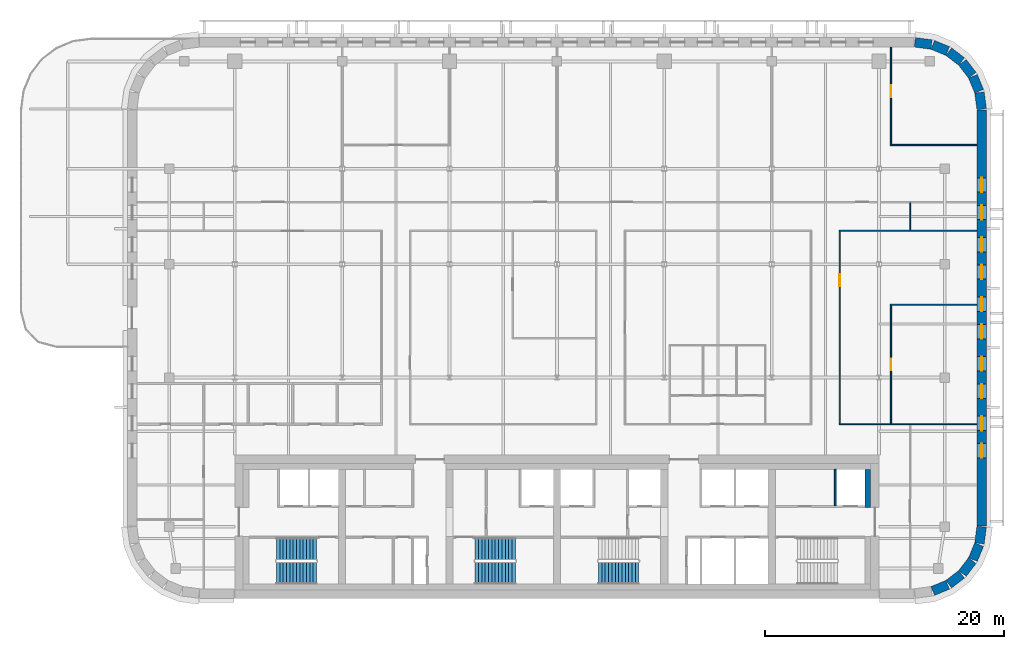
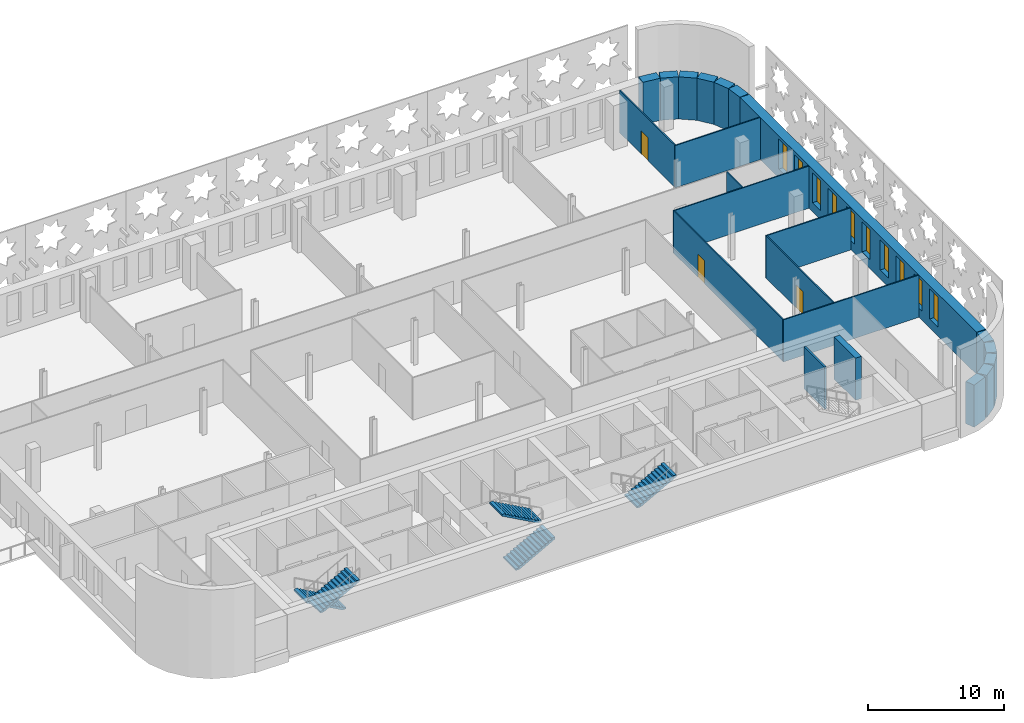
# One storey, part 11 of 17: 22 walls, 10 windows, 5 stair flights, 3 doors, 13 openings, 3 elements without a shape of their own.
"""IFC4 building model written with IfcOpenShell, lengths in metres."""

from ifc_helpers import new_model, si_unit, direction, frame, frame_2d, origin, place, context, subcontext, project, spatial, polyline, rectangle, outline, extrude, material, layer, layer_set, type_object, element, fill, aggregate, save


model = new_model("IFC4")

# Units and contexts
model_context = context("Model", 3, precision=1e-05, world=origin(), true_north=direction((0.0, 1.0)))
body_context = subcontext(model_context, "Body", "Model", "MODEL_VIEW")
ifc_project = project(units=[si_unit("LENGTHUNIT", "METRE"), si_unit("AREAUNIT", "SQUARE_METRE"), si_unit("VOLUMEUNIT", "CUBIC_METRE"), si_unit("PLANEANGLEUNIT", "RADIAN"), si_unit("MASSUNIT", "GRAM", prefix="KILO")], contexts=[model_context])

# Site, building, storey
site_placement = place(None, origin())
site = spatial("IfcSite", under=ifc_project, at=site_placement, CompositionType="ELEMENT")
building_placement = place(site_placement, origin())
building = spatial("IfcBuilding", under=site, at=building_placement, Name="Zellij Exchange Tower", CompositionType="ELEMENT")
storey_placement = place(building_placement, frame((0.0, 0.0, 256.5)))
storey = spatial("IfcBuildingStorey", under=building, at=storey_placement, Name="L60", CompositionType="ELEMENT", Elevation=256.5)

# Walls
ifc_material_1 = material(Name="Concrete C30/37", Category="concrete")
ifc_layer_1 = layer(ifc_material_1, 0.5)
ifc_layer_set_1 = layer_set([ifc_layer_1], Name="Concrete C30/37")
wall_type_1 = type_object("IfcWallType", Name="CORE-LW 500 C30/37", PredefinedType="SHEAR", material=ifc_layer_set_1)
wall_1_placement = place(storey_placement, frame((26.050048828125, -6.375, 0.0), z_axis=(0.0, 0.0, 1.0), x_axis=(0.0, 1.0, 0.0)))
element("IfcWall", 1, at=wall_1_placement, inside=storey, type_object=wall_type_1, Name="Core wall lining end e.1 L60", PredefinedType="SHEAR", context=body_context, shape_type="SweptSolid", body=[
    extrude(rectangle(XDim=3.175048828125, YDim=0.5, at=frame_2d((1.58740234375, 0.0))), origin(), (0.0, 0.0, 1.0), 3.800048828125),
])
ifc_material_2 = material(Name="Gypsum shaft wall system")
ifc_layer_2 = layer(ifc_material_2, 0.14990234375)
ifc_layer_set_2 = layer_set([ifc_layer_2], Name="Gypsum shaft wall system")
wall_type_2 = type_object("IfcWallType", Name="CORE-PW 150 Lift shaft wall", PredefinedType="PARTITIONING", material=ifc_layer_set_2)
wall_2_placement = place(storey_placement, frame((23.324951171875, -6.22509765625, 0.0), z_axis=(0.0, 0.0, 1.0), x_axis=(0.0, 1.0, 0.0)))
element("IfcWall", 2, at=wall_2_placement, inside=storey, type_object=wall_type_2, Name="Lift shaft wall L60", PredefinedType="PARTITIONING", context=body_context, shape_type="SweptSolid", body=[
    extrude(rectangle(XDim=3.025146484375, YDim=0.14990234375, at=frame_2d((1.5126953125, 0.0))), origin(), (0.0, 0.0, 1.0), 3.800048828125),
])
ifc_material_3 = material(Name="Precast concrete C40/50", Category="concrete")
ifc_layer_3 = layer(ifc_material_3, 0.800048828125)
ifc_layer_set_3 = layer_set([ifc_layer_3], Name="Precast concrete C40/50")
wall_type_3 = type_object("IfcWallType", Name="ENV-EW1 Precast stone-piered wall 800", PredefinedType="SOLIDWALL", material=ifc_layer_set_3)
wall_3_placement = place(storey_placement, frame((31.497314453125, -13.3857421875, 0.0), z_axis=(0.0, 0.0, 1.0), x_axis=(0.923847774587, 0.38276009378, 0.0)))
element("IfcWall", 3, at=wall_3_placement, inside=storey, type_object=wall_type_3, Name="fac.L60.02", PredefinedType="SOLIDWALL", context=body_context, shape_type="SweptSolid", body=[
    extrude(rectangle(XDim=1.35546875, YDim=0.800048828125, at=frame_2d((0.677734375, 0.0))), origin(), (0.0, 0.0, 1.0), 3.800048828125),
])
for number, where, z_axis, x_axis, name in (
    (4, (32.840087890625, -12.814697265625, 0.0), (0.0, 0.0, 1.0), (0.793272915452, 0.608866226366, 0.0), "fac.L60.03"),
    (5, (33.9892578125, -11.91552734375, 0.0), (0.0, 0.0, 1.0), (0.608866226366, 0.793272915452, 0.0), "fac.L60.04"),
):
    element("IfcWall", number, at=place(storey_placement, frame(where, z_axis=z_axis, x_axis=x_axis)), inside=storey, type_object=wall_type_3, Name=name, PredefinedType="SOLIDWALL", context=body_context, shape_type="SweptSolid", body=[
        extrude(rectangle(XDim=1.355712890625, YDim=0.800048828125, at=frame_2d((0.677734375, 0.0))), origin(), (0.0, 0.0, 1.0), 3.800048828125),
    ])
wall_4_placement = place(storey_placement, frame((34.866943359375, -10.74951171875, 0.0), z_axis=(0.0, 0.0, 1.0), x_axis=(0.38276009378, 0.923847774587, 0.0)))
element("IfcWall", 6, at=wall_4_placement, inside=storey, type_object=wall_type_3, Name="fac.L60.05", PredefinedType="SOLIDWALL", context=body_context, shape_type="SweptSolid", body=[
    extrude(rectangle(XDim=1.35546875, YDim=0.800048828125, at=frame_2d((0.677734375, 0.0))), origin(), (0.0, 0.0, 1.0), 3.800048828125),
])
wall_5_placement = place(storey_placement, frame((35.412841796875, -9.396240234375, 0.0), z_axis=(0.0, 0.0, 1.0), x_axis=(0.130517283865, 0.99144603414, 0.0)))
element("IfcWall", 7, at=wall_5_placement, inside=storey, type_object=wall_type_3, Name="fac.L60.06", PredefinedType="SOLIDWALL", context=body_context, shape_type="SweptSolid", body=[
    extrude(rectangle(XDim=1.408447265625, YDim=0.800048828125, at=frame_2d((0.7041015625, 0.0))), origin(), (0.0, 0.0, 1.0), 3.800048828125),
])

# Wall, openings, windows
wall_6_placement = place(storey_placement, frame((35.60009765625, -7.947509765625, 0.0), z_axis=(0.0, 0.0, 1.0), x_axis=(0.0, 1.0, 0.0)))
wall_6 = element("IfcWall", 8, at=wall_6_placement, inside=storey, type_object=wall_type_3, Name="fac.L60.07", PredefinedType="SOLIDWALL", context=body_context, shape_type="SweptSolid", body=[
    extrude(rectangle(XDim=34.89501953125, YDim=0.800048828125, at=frame_2d((17.447509765625, 0.0))), origin(), (0.0, 0.0, 1.0), 3.800048828125),
])
opening_1_placement = place(wall_6_placement, frame((5.71240234375, 0.0, 0.800048828125)))
opening_1 = element("IfcOpeningElement", 9, at=opening_1_placement, cuts=wall_6, Name="Opening FZ4.01", PredefinedType="OPENING", context=body_context, shape_type="SweptSolid", body=[
    extrude(rectangle(XDim=1.199951171875, YDim=2.699951171875, at=frame_2d((0.60009765625, 1.35009765625))), frame((0.0, 0.412109375, 0.0), z_axis=(0.0, -1.0, 0.0), x_axis=(1.0, 0.0, 0.0)), (0.0, 0.0, 1.0), 0.823974609375),
])
opening_2_placement = place(wall_6_placement, frame((8.0126953125, 0.0, 0.800048828125)))
opening_2 = element("IfcOpeningElement", 10, at=opening_2_placement, cuts=wall_6, Name="Opening FZ4.02", PredefinedType="OPENING", context=body_context, shape_type="SweptSolid", body=[
    extrude(rectangle(XDim=1.199951171875, YDim=2.699951171875, at=frame_2d((0.60009765625, 1.35009765625))), frame((0.0, 0.412109375, 0.0), z_axis=(0.0, -1.0, 0.0), x_axis=(1.0, 0.0, 0.0)), (0.0, 0.0, 1.0), 0.823974609375),
])
opening_3_placement = place(wall_6_placement, frame((10.705078125, 0.0, 0.800048828125)))
opening_3 = element("IfcOpeningElement", 11, at=opening_3_placement, cuts=wall_6, Name="Opening FZ4.03", PredefinedType="OPENING", context=body_context, shape_type="SweptSolid", body=[
    extrude(rectangle(XDim=1.199951171875, YDim=2.699951171875, at=frame_2d((0.60009765625, 1.35009765625))), frame((0.0, 0.412109375, 0.0), z_axis=(0.0, -1.0, 0.0), x_axis=(1.0, 0.0, 0.0)), (0.0, 0.0, 1.0), 0.823974609375),
])
opening_4_placement = place(wall_6_placement, frame((13.005126953125, 0.0, 0.800048828125)))
opening_4 = element("IfcOpeningElement", 12, at=opening_4_placement, cuts=wall_6, Name="Opening FZ4.04", PredefinedType="OPENING", context=body_context, shape_type="SweptSolid", body=[
    extrude(rectangle(XDim=1.199951171875, YDim=2.699951171875, at=frame_2d((0.60009765625, 1.35009765625))), frame((0.0, 0.412109375, 0.0), z_axis=(0.0, -1.0, 0.0), x_axis=(1.0, 0.0, 0.0)), (0.0, 0.0, 1.0), 0.823974609375),
])
opening_5_placement = place(wall_6_placement, frame((15.697509765625, 0.0, 0.800048828125)))
opening_5 = element("IfcOpeningElement", 13, at=opening_5_placement, cuts=wall_6, Name="Opening FZ4.05", PredefinedType="OPENING", context=body_context, shape_type="SweptSolid", body=[
    extrude(rectangle(XDim=1.199951171875, YDim=2.699951171875, at=frame_2d((0.60009765625, 1.35009765625))), frame((0.0, 0.412109375, 0.0), z_axis=(0.0, -1.0, 0.0), x_axis=(1.0, 0.0, 0.0)), (0.0, 0.0, 1.0), 0.823974609375),
])
opening_6_placement = place(wall_6_placement, frame((17.99755859375, 0.0, 0.800048828125)))
opening_6 = element("IfcOpeningElement", 14, at=opening_6_placement, cuts=wall_6, Name="Opening FZ4.06", PredefinedType="OPENING", context=body_context, shape_type="SweptSolid", body=[
    extrude(rectangle(XDim=1.199951171875, YDim=2.699951171875, at=frame_2d((0.60009765625, 1.35009765625))), frame((0.0, 0.412109375, 0.0), z_axis=(0.0, -1.0, 0.0), x_axis=(1.0, 0.0, 0.0)), (0.0, 0.0, 1.0), 0.823974609375),
])
opening_7_placement = place(wall_6_placement, frame((20.690185546875, 0.0, 0.800048828125)))
opening_7 = element("IfcOpeningElement", 15, at=opening_7_placement, cuts=wall_6, Name="Opening FZ4.07", PredefinedType="OPENING", context=body_context, shape_type="SweptSolid", body=[
    extrude(rectangle(XDim=1.199951171875, YDim=2.699951171875, at=frame_2d((0.60009765625, 1.35009765625))), frame((0.0, 0.412109375, 0.0), z_axis=(0.0, -1.0, 0.0), x_axis=(1.0, 0.0, 0.0)), (0.0, 0.0, 1.0), 0.823974609375),
])
opening_8_placement = place(wall_6_placement, frame((22.989990234375, 0.0, 0.800048828125)))
opening_8 = element("IfcOpeningElement", 16, at=opening_8_placement, cuts=wall_6, Name="Opening FZ4.08", PredefinedType="OPENING", context=body_context, shape_type="SweptSolid", body=[
    extrude(rectangle(XDim=1.199951171875, YDim=2.699951171875, at=frame_2d((0.60009765625, 1.35009765625))), frame((0.0, 0.412109375, 0.0), z_axis=(0.0, -1.0, 0.0), x_axis=(1.0, 0.0, 0.0)), (0.0, 0.0, 1.0), 0.823974609375),
])
opening_9_placement = place(wall_6_placement, frame((25.6826171875, 0.0, 0.800048828125)))
opening_9 = element("IfcOpeningElement", 17, at=opening_9_placement, cuts=wall_6, Name="Opening FZ4.09", PredefinedType="OPENING", context=body_context, shape_type="SweptSolid", body=[
    extrude(rectangle(XDim=1.199951171875, YDim=2.699951171875, at=frame_2d((0.60009765625, 1.35009765625))), frame((0.0, 0.412109375, 0.0), z_axis=(0.0, -1.0, 0.0), x_axis=(1.0, 0.0, 0.0)), (0.0, 0.0, 1.0), 0.823974609375),
])
opening_10_placement = place(wall_6_placement, frame((27.982666015625, 0.0, 0.800048828125)))
opening_10 = element("IfcOpeningElement", 18, at=opening_10_placement, cuts=wall_6, Name="Opening FZ4.10", PredefinedType="OPENING", context=body_context, shape_type="SweptSolid", body=[
    extrude(rectangle(XDim=1.199951171875, YDim=2.699951171875, at=frame_2d((0.60009765625, 1.35009765625))), frame((0.0, 0.412109375, 0.0), z_axis=(0.0, -1.0, 0.0), x_axis=(1.0, 0.0, 0.0)), (0.0, 0.0, 1.0), 0.823974609375),
])
ifc_material_4 = material(Name="Aluminium frame with insulating glass", Category="aluminium")
window_type = type_object("IfcWindowType", Name="ENV-W9 Window 1200x2700", PartitioningType="SINGLE_PANEL", PredefinedType="WINDOW", material=ifc_material_4)
window_1_placement = place(opening_1_placement, origin())
window_1 = element("IfcWindow", 19, at=window_1_placement, inside=storey, type_object=window_type, Name="Window FZ4.01", OverallHeight=2.699951171875, OverallWidth=1.199951171875, PartitioningType="SINGLE_PANEL", PredefinedType="WINDOW", context=body_context, shape_type="SweptSolid", body=[
    extrude(rectangle(XDim=1.199951171875, YDim=2.699951171875, at=frame_2d((0.60009765625, 1.35009765625))), frame((0.0, 0.030029296875, 0.0), z_axis=(0.0, -1.0, 0.0), x_axis=(1.0, 0.0, 0.0)), (0.0, 0.0, 1.0), 0.06005859375),
])
fill(opening_1, window_1)
window_2_placement = place(opening_2_placement, origin())
window_2 = element("IfcWindow", 20, at=window_2_placement, inside=storey, type_object=window_type, Name="Window FZ4.02", OverallHeight=2.699951171875, OverallWidth=1.199951171875, PartitioningType="SINGLE_PANEL", PredefinedType="WINDOW", context=body_context, shape_type="SweptSolid", body=[
    extrude(rectangle(XDim=1.199951171875, YDim=2.699951171875, at=frame_2d((0.60009765625, 1.35009765625))), frame((0.0, 0.030029296875, 0.0), z_axis=(0.0, -1.0, 0.0), x_axis=(1.0, 0.0, 0.0)), (0.0, 0.0, 1.0), 0.06005859375),
])
fill(opening_2, window_2)
window_3_placement = place(opening_3_placement, origin())
window_3 = element("IfcWindow", 21, at=window_3_placement, inside=storey, type_object=window_type, Name="Window FZ4.03", OverallHeight=2.699951171875, OverallWidth=1.199951171875, PartitioningType="SINGLE_PANEL", PredefinedType="WINDOW", context=body_context, shape_type="SweptSolid", body=[
    extrude(rectangle(XDim=1.199951171875, YDim=2.699951171875, at=frame_2d((0.60009765625, 1.35009765625))), frame((0.0, 0.030029296875, 0.0), z_axis=(0.0, -1.0, 0.0), x_axis=(1.0, 0.0, 0.0)), (0.0, 0.0, 1.0), 0.06005859375),
])
fill(opening_3, window_3)
window_4_placement = place(opening_4_placement, origin())
window_4 = element("IfcWindow", 22, at=window_4_placement, inside=storey, type_object=window_type, Name="Window FZ4.04", OverallHeight=2.699951171875, OverallWidth=1.199951171875, PartitioningType="SINGLE_PANEL", PredefinedType="WINDOW", context=body_context, shape_type="SweptSolid", body=[
    extrude(rectangle(XDim=1.199951171875, YDim=2.699951171875, at=frame_2d((0.60009765625, 1.35009765625))), frame((0.0, 0.030029296875, 0.0), z_axis=(0.0, -1.0, 0.0), x_axis=(1.0, 0.0, 0.0)), (0.0, 0.0, 1.0), 0.06005859375),
])
fill(opening_4, window_4)
window_5_placement = place(opening_5_placement, origin())
window_5 = element("IfcWindow", 23, at=window_5_placement, inside=storey, type_object=window_type, Name="Window FZ4.05", OverallHeight=2.699951171875, OverallWidth=1.199951171875, PartitioningType="SINGLE_PANEL", PredefinedType="WINDOW", context=body_context, shape_type="SweptSolid", body=[
    extrude(rectangle(XDim=1.199951171875, YDim=2.699951171875, at=frame_2d((0.60009765625, 1.35009765625))), frame((0.0, 0.030029296875, 0.0), z_axis=(0.0, -1.0, 0.0), x_axis=(1.0, 0.0, 0.0)), (0.0, 0.0, 1.0), 0.06005859375),
])
fill(opening_5, window_5)
window_6_placement = place(opening_6_placement, origin())
window_6 = element("IfcWindow", 24, at=window_6_placement, inside=storey, type_object=window_type, Name="Window FZ4.06", OverallHeight=2.699951171875, OverallWidth=1.199951171875, PartitioningType="SINGLE_PANEL", PredefinedType="WINDOW", context=body_context, shape_type="SweptSolid", body=[
    extrude(rectangle(XDim=1.199951171875, YDim=2.699951171875, at=frame_2d((0.60009765625, 1.35009765625))), frame((0.0, 0.030029296875, 0.0), z_axis=(0.0, -1.0, 0.0), x_axis=(1.0, 0.0, 0.0)), (0.0, 0.0, 1.0), 0.06005859375),
])
fill(opening_6, window_6)
window_7_placement = place(opening_7_placement, origin())
window_7 = element("IfcWindow", 25, at=window_7_placement, inside=storey, type_object=window_type, Name="Window FZ4.07", OverallHeight=2.699951171875, OverallWidth=1.199951171875, PartitioningType="SINGLE_PANEL", PredefinedType="WINDOW", context=body_context, shape_type="SweptSolid", body=[
    extrude(rectangle(XDim=1.199951171875, YDim=2.699951171875, at=frame_2d((0.60009765625, 1.35009765625))), frame((0.0, 0.030029296875, 0.0), z_axis=(0.0, -1.0, 0.0), x_axis=(1.0, 0.0, 0.0)), (0.0, 0.0, 1.0), 0.06005859375),
])
fill(opening_7, window_7)
window_8_placement = place(opening_8_placement, origin())
window_8 = element("IfcWindow", 26, at=window_8_placement, inside=storey, type_object=window_type, Name="Window FZ4.08", OverallHeight=2.699951171875, OverallWidth=1.199951171875, PartitioningType="SINGLE_PANEL", PredefinedType="WINDOW", context=body_context, shape_type="SweptSolid", body=[
    extrude(rectangle(XDim=1.199951171875, YDim=2.699951171875, at=frame_2d((0.60009765625, 1.35009765625))), frame((0.0, 0.030029296875, 0.0), z_axis=(0.0, -1.0, 0.0), x_axis=(1.0, 0.0, 0.0)), (0.0, 0.0, 1.0), 0.06005859375),
])
fill(opening_8, window_8)
window_9_placement = place(opening_9_placement, origin())
window_9 = element("IfcWindow", 27, at=window_9_placement, inside=storey, type_object=window_type, Name="Window FZ4.09", OverallHeight=2.699951171875, OverallWidth=1.199951171875, PartitioningType="SINGLE_PANEL", PredefinedType="WINDOW", context=body_context, shape_type="SweptSolid", body=[
    extrude(rectangle(XDim=1.199951171875, YDim=2.699951171875, at=frame_2d((0.60009765625, 1.35009765625))), frame((0.0, 0.030029296875, 0.0), z_axis=(0.0, -1.0, 0.0), x_axis=(1.0, 0.0, 0.0)), (0.0, 0.0, 1.0), 0.06005859375),
])
fill(opening_9, window_9)
window_10_placement = place(opening_10_placement, origin())
window_10 = element("IfcWindow", 28, at=window_10_placement, inside=storey, type_object=window_type, Name="Window FZ4.10", OverallHeight=2.699951171875, OverallWidth=1.199951171875, PartitioningType="SINGLE_PANEL", PredefinedType="WINDOW", context=body_context, shape_type="SweptSolid", body=[
    extrude(rectangle(XDim=1.199951171875, YDim=2.699951171875, at=frame_2d((0.60009765625, 1.35009765625))), frame((0.0, 0.030029296875, 0.0), z_axis=(0.0, -1.0, 0.0), x_axis=(1.0, 0.0, 0.0)), (0.0, 0.0, 1.0), 0.06005859375),
])
fill(opening_10, window_10)

# Walls
wall_7_placement = place(storey_placement, frame((35.5966796875, 26.999755859375, 0.0), z_axis=(0.0, 0.0, 1.0), x_axis=(-0.130517283865, 0.99144603414, 0.0)))
element("IfcWall", 29, at=wall_7_placement, inside=storey, type_object=wall_type_3, Name="fac.L60.08", PredefinedType="SOLIDWALL", context=body_context, shape_type="SweptSolid", body=[
    extrude(rectangle(XDim=1.408447265625, YDim=0.800048828125, at=frame_2d((0.7041015625, 0.0))), origin(), (0.0, 0.0, 1.0), 3.800048828125),
])
wall_8_placement = place(storey_placement, frame((35.3857421875, 28.497314453125, 0.0), z_axis=(0.0, 0.0, 1.0), x_axis=(-0.38276009378, 0.923847774587, 0.0)))
element("IfcWall", 30, at=wall_8_placement, inside=storey, type_object=wall_type_3, Name="fac.L60.09", PredefinedType="SOLIDWALL", context=body_context, shape_type="SweptSolid", body=[
    extrude(rectangle(XDim=1.35546875, YDim=0.800048828125, at=frame_2d((0.677734375, 0.0))), origin(), (0.0, 0.0, 1.0), 3.800048828125),
])
for number, where, z_axis, x_axis, name in (
    (31, (34.814697265625, 29.840087890625, 0.0), (0.0, 0.0, 1.0), (-0.608866226366, 0.793272915452, 0.0), "fac.L60.10"),
    (32, (33.91552734375, 30.9892578125, 0.0), (0.0, 0.0, 1.0), (-0.793272915452, 0.608866226366, 0.0), "fac.L60.11"),
):
    element("IfcWall", number, at=place(storey_placement, frame(where, z_axis=z_axis, x_axis=x_axis)), inside=storey, type_object=wall_type_3, Name=name, PredefinedType="SOLIDWALL", context=body_context, shape_type="SweptSolid", body=[
        extrude(rectangle(XDim=1.355712890625, YDim=0.800048828125, at=frame_2d((0.677734375, 0.0))), origin(), (0.0, 0.0, 1.0), 3.800048828125),
    ])
wall_9_placement = place(storey_placement, frame((32.74951171875, 31.866943359375, 0.0), z_axis=(0.0, 0.0, 1.0), x_axis=(-0.923847774587, 0.38276009378, 0.0)))
element("IfcWall", 33, at=wall_9_placement, inside=storey, type_object=wall_type_3, Name="fac.L60.12", PredefinedType="SOLIDWALL", context=body_context, shape_type="SweptSolid", body=[
    extrude(rectangle(XDim=1.35546875, YDim=0.800048828125, at=frame_2d((0.677734375, 0.0))), origin(), (0.0, 0.0, 1.0), 3.800048828125),
])
wall_10_placement = place(storey_placement, frame((31.396240234375, 32.412841796875, 0.0), z_axis=(0.0, 0.0, 1.0), x_axis=(-0.99144603414, 0.130517283865, 0.0)))
element("IfcWall", 34, at=wall_10_placement, inside=storey, type_object=wall_type_3, Name="fac.L60.13", PredefinedType="SOLIDWALL", context=body_context, shape_type="SweptSolid", body=[
    extrude(rectangle(XDim=1.408447265625, YDim=0.800048828125, at=frame_2d((0.7041015625, 0.0))), origin(), (0.0, 0.0, 1.0), 3.800048828125),
])
ifc_material_5 = material(Name="Gypsum board partition on steel studs", Category="steel")
ifc_layer_4 = layer(ifc_material_5, 0.10009765625)
ifc_layer_set_4 = layer_set([ifc_layer_4], Name="Gypsum board partition on steel studs")
wall_type_4 = type_object("IfcWallType", Name="FIT-PARTITION-100", PredefinedType="PARTITIONING", material=ifc_layer_set_4)
wall_11_placement = place(storey_placement, frame((23.64990234375, 0.60009765625, 0.0), z_axis=(0.0, 0.0, 1.0), x_axis=(1.0, 0.0, 0.0)))
element("IfcWall", 35, at=wall_11_placement, inside=storey, type_object=wall_type_4, Name="FIT-PARTITION-100 020", PredefinedType="PARTITIONING", context=body_context, shape_type="SweptSolid", body=[
    extrude(rectangle(XDim=11.550048828125, YDim=0.10009765625, at=frame_2d((5.77490234375, 0.0))), origin(), (0.0, 0.0, 1.0), 3.800048828125),
])

# Wall, opening, door
wall_12_placement = place(storey_placement, frame((23.699951171875, 0.64990234375, 0.0), z_axis=(0.0, 0.0, 1.0), x_axis=(0.0, 1.0, 0.0)))
wall_12 = element("IfcWall", 36, at=wall_12_placement, inside=storey, type_object=wall_type_4, Name="FIT-PARTITION-100 021", PredefinedType="PARTITIONING", context=body_context, shape_type="SweptSolid", body=[
    extrude(rectangle(XDim=16.10009765625, YDim=0.10009765625, at=frame_2d((8.050048828125, 0.0))), origin(), (0.0, 0.0, 1.0), 3.800048828125),
])
opening_11_placement = place(wall_12_placement, frame((11.5, 0.0, 0.0)))
opening_11 = element("IfcOpeningElement", 37, at=opening_11_placement, cuts=wall_12, Name="Opening O4E.16", PredefinedType="OPENING", context=body_context, shape_type="SweptSolid", body=[
    extrude(rectangle(XDim=1.0, YDim=2.10009765625, at=frame_2d((0.5, 1.050048828125))), frame((0.0, 0.06201171875, 0.0), z_axis=(0.0, -1.0, 0.0), x_axis=(1.0, 0.0, 0.0)), (0.0, 0.0, 1.0), 0.1240234375),
])
ifc_material_6 = material(Name="Timber door set", Category="wood")
door_type = type_object("IfcDoorType", Name="FIT-D2-WIDE-1000X2100", OperationType="SINGLE_SWING_LEFT", PredefinedType="DOOR", material=ifc_material_6)
door_1_placement = place(opening_11_placement, origin())
door_1 = element("IfcDoor", 38, at=door_1_placement, inside=storey, type_object=door_type, Name="Door O4E.16", OperationType="SINGLE_SWING_RIGHT", OverallHeight=2.10009765625, OverallWidth=1.0, PredefinedType="DOOR", context=body_context, shape_type="SweptSolid", body=[
    extrude(rectangle(XDim=1.0, YDim=2.10009765625, at=frame_2d((0.5, 1.050048828125))), frame((0.0, 0.02490234375, 0.0), z_axis=(0.0, -1.0, 0.0), x_axis=(1.0, 0.0, 0.0)), (0.0, 0.0, 1.0), 0.050048828125),
])
fill(opening_11, door_1)

wall_13_placement = place(storey_placement, frame((28.0, 0.64990234375, 0.0), z_axis=(0.0, 0.0, 1.0), x_axis=(0.0, 1.0, 0.0)))
wall_13 = element("IfcWall", 39, at=wall_13_placement, inside=storey, type_object=wall_type_4, Name="FIT-PARTITION-100 022", PredefinedType="PARTITIONING", context=body_context, shape_type="SweptSolid", body=[
    extrude(rectangle(XDim=9.900146484375, YDim=0.10009765625, at=frame_2d((4.9501953125, 0.0))), origin(), (0.0, 0.0, 1.0), 3.800048828125),
])
opening_12_placement = place(wall_13_placement, frame((4.449951171875, 0.0, 0.0)))
opening_12 = element("IfcOpeningElement", 40, at=opening_12_placement, cuts=wall_13, Name="Opening O4E.12", PredefinedType="OPENING", context=body_context, shape_type="SweptSolid", body=[
    extrude(rectangle(XDim=1.0, YDim=2.10009765625, at=frame_2d((0.5, 1.050048828125))), frame((0.0, 0.06201171875, 0.0), z_axis=(0.0, -1.0, 0.0), x_axis=(1.0, 0.0, 0.0)), (0.0, 0.0, 1.0), 0.1240234375),
])
door_2_placement = place(opening_12_placement, origin())
door_2 = element("IfcDoor", 41, at=door_2_placement, inside=storey, type_object=door_type, Name="Door O4E.12", OperationType="SINGLE_SWING_LEFT", OverallHeight=2.10009765625, OverallWidth=1.0, PredefinedType="DOOR", context=body_context, shape_type="SweptSolid", body=[
    extrude(rectangle(XDim=1.0, YDim=2.10009765625, at=frame_2d((0.5, 1.050048828125))), frame((0.0, 0.02490234375, 0.0), z_axis=(0.0, -1.0, 0.0), x_axis=(1.0, 0.0, 0.0)), (0.0, 0.0, 1.0), 0.050048828125),
])
fill(opening_12, door_2)

# Walls
wall_14_placement = place(storey_placement, frame((27.949951171875, 10.60009765625, 0.0), z_axis=(0.0, 0.0, 1.0), x_axis=(1.0, 0.0, 0.0)))
element("IfcWall", 42, at=wall_14_placement, inside=storey, type_object=wall_type_4, Name="FIT-PARTITION-100 033", PredefinedType="PARTITIONING", context=body_context, shape_type="SweptSolid", body=[
    extrude(rectangle(XDim=7.25, YDim=0.10009765625, at=frame_2d((3.625, 0.0))), origin(), (0.0, 0.0, 1.0), 3.800048828125),
])
wall_15_placement = place(storey_placement, frame((23.64990234375, 16.800048828125, 0.0), z_axis=(0.0, 0.0, 1.0), x_axis=(1.0, 0.0, 0.0)))
element("IfcWall", 43, at=wall_15_placement, inside=storey, type_object=wall_type_4, Name="FIT-PARTITION-100 038", PredefinedType="PARTITIONING", context=body_context, shape_type="SweptSolid", body=[
    extrude(rectangle(XDim=11.550048828125, YDim=0.10009765625, at=frame_2d((5.77490234375, 0.0))), origin(), (0.0, 0.0, 1.0), 3.800048828125),
])
wall_16_placement = place(storey_placement, frame((29.60009765625, 16.85009765625, 0.0), z_axis=(0.0, 0.0, 1.0), x_axis=(0.0, 1.0, 0.0)))
element("IfcWall", 44, at=wall_16_placement, inside=storey, type_object=wall_type_4, Name="FIT-PARTITION-100 039", PredefinedType="PARTITIONING", context=body_context, shape_type="SweptSolid", body=[
    extrude(rectangle(XDim=2.2998046875, YDim=0.10009765625, at=frame_2d((1.14990234375, 0.0))), origin(), (0.0, 0.0, 1.0), 3.800048828125),
])
wall_17_placement = place(storey_placement, frame((27.949951171875, 24.0, 0.0), z_axis=(0.0, 0.0, 1.0), x_axis=(1.0, 0.0, 0.0)))
element("IfcWall", 45, at=wall_17_placement, inside=storey, type_object=wall_type_4, Name="FIT-PARTITION-100 053", PredefinedType="PARTITIONING", context=body_context, shape_type="SweptSolid", body=[
    extrude(rectangle(XDim=7.25, YDim=0.10009765625, at=frame_2d((3.625, 0.0))), origin(), (0.0, 0.0, 1.0), 3.800048828125),
])

# Wall, opening, door
wall_18_placement = place(storey_placement, frame((28.0, 24.050048828125, 0.0), z_axis=(0.0, 0.0, 1.0), x_axis=(0.0, 1.0, 0.0)))
wall_18 = element("IfcWall", 46, at=wall_18_placement, inside=storey, type_object=wall_type_4, Name="FIT-PARTITION-100 054", PredefinedType="PARTITIONING", context=body_context, shape_type="SweptSolid", body=[
    extrude(rectangle(XDim=8.14990234375, YDim=0.10009765625, at=frame_2d((4.074951171875, 0.0))), origin(), (0.0, 0.0, 1.0), 3.800048828125),
])
opening_13_placement = place(wall_18_placement, frame((3.949951171875, 0.0, 0.0)))
opening_13 = element("IfcOpeningElement", 47, at=opening_13_placement, cuts=wall_18, Name="Opening O4E.23", PredefinedType="OPENING", context=body_context, shape_type="SweptSolid", body=[
    extrude(rectangle(XDim=1.0, YDim=2.10009765625, at=frame_2d((0.5, 1.050048828125))), frame((0.0, 0.06201171875, 0.0), z_axis=(0.0, -1.0, 0.0), x_axis=(1.0, 0.0, 0.0)), (0.0, 0.0, 1.0), 0.1240234375),
])
door_3_placement = place(opening_13_placement, origin())
door_3 = element("IfcDoor", 48, at=door_3_placement, inside=storey, type_object=door_type, Name="Door O4E.23", OperationType="SINGLE_SWING_RIGHT", OverallHeight=2.10009765625, OverallWidth=1.0, PredefinedType="DOOR", context=body_context, shape_type="SweptSolid", body=[
    extrude(rectangle(XDim=1.0, YDim=2.10009765625, at=frame_2d((0.5, 1.050048828125))), frame((0.0, 0.02490234375, 0.0), z_axis=(0.0, -1.0, 0.0), x_axis=(1.0, 0.0, 0.0)), (0.0, 0.0, 1.0), 0.050048828125),
])
fill(opening_13, door_3)

# Stair, stair flights
ifc_material_7 = material(Name="Concrete C40/50", Category="concrete")
stair_type = type_object("IfcStairType", Name="CORE-ST exit stair 1850 wide", PredefinedType="HALF_TURN_STAIR", material=ifc_material_7)
stair_1_placement = place(storey_placement, origin())
stair_1 = element("IfcStair", 49, at=stair_1_placement, inside=storey, type_object=stair_type, Name="L60 exit stair ST1", PredefinedType="HALF_TURN_STAIR")
stair_flight_type = type_object("IfcStairFlightType", Name="CORE-SF flight 1850 riser 153.8 going 280", PredefinedType="STRAIGHT", material=ifc_material_7)
stair_flight_1_placement = place(storey_placement, frame((-20.14990234375, -9.875, 0.0), z_axis=(0.0, 0.0, 1.0), x_axis=(-1.0, 0.0, 0.0)))
stair_flight_1 = element("IfcStairFlight", 50, at=stair_flight_1_placement, type_object=stair_flight_type, Name="ST1 flight 1", NumberOfRisers=13, NumberOfTreads=12, PredefinedType="STRAIGHT", RiserHeight=0.153846154, TreadLength=0.28, context=body_context, shape_type="SweptSolid", body=[
    extrude(outline(polyline([(0.0, 0.0), (0.0, 0.15380859375), (0.280029296875, 0.15380859375), (0.280029296875, 0.3076171875), (0.56005859375, 0.3076171875), (0.56005859375, 0.46142578125), (0.840087890625, 0.46142578125), (0.840087890625, 0.615478515625), (1.1201171875, 0.615478515625), (1.1201171875, 0.769287109375), (1.39990234375, 0.769287109375), (1.39990234375, 0.923095703125), (1.679931640625, 0.923095703125), (1.679931640625, 1.076904296875), (1.9599609375, 1.076904296875), (1.9599609375, 1.230712890625), (2.239990234375, 1.230712890625), (2.239990234375, 1.384521484375), (2.52001953125, 1.384521484375), (2.52001953125, 1.53857421875), (2.800048828125, 1.53857421875), (2.800048828125, 1.6923828125), (3.080078125, 1.6923828125), (3.080078125, 1.84619140625), (3.360107421875, 1.84619140625), (3.360107421875, 2.0), (3.360107421875, 1.675048828125), (0.311279296875, 0.0), (0.0, 0.0)])), frame((0.0, 0.925048828125, 0.0), z_axis=(0.0, -1.0, 0.0), x_axis=(1.0, 0.0, 0.0)), (0.0, 0.0, 1.0), 1.85009765625),
])
stair_flight_2_placement = place(storey_placement, frame((-23.510009765625, -11.875, 2.0), z_axis=(0.0, 0.0, 1.0), x_axis=(1.0, 0.0, 0.0)))
stair_flight_2 = element("IfcStairFlight", 51, at=stair_flight_2_placement, type_object=stair_flight_type, Name="ST1 flight 2", NumberOfRisers=13, NumberOfTreads=12, PredefinedType="STRAIGHT", RiserHeight=0.153846154, TreadLength=0.28, context=body_context, shape_type="SweptSolid", body=[
    extrude(outline(polyline([(0.0, 0.0), (0.0, 0.15380859375), (0.280029296875, 0.15380859375), (0.280029296875, 0.3076171875), (0.56005859375, 0.3076171875), (0.56005859375, 0.46142578125), (0.840087890625, 0.46142578125), (0.840087890625, 0.615478515625), (1.1201171875, 0.615478515625), (1.1201171875, 0.769287109375), (1.39990234375, 0.769287109375), (1.39990234375, 0.923095703125), (1.679931640625, 0.923095703125), (1.679931640625, 1.076904296875), (1.9599609375, 1.076904296875), (1.9599609375, 1.230712890625), (2.239990234375, 1.230712890625), (2.239990234375, 1.384521484375), (2.52001953125, 1.384521484375), (2.52001953125, 1.53857421875), (2.800048828125, 1.53857421875), (2.800048828125, 1.6923828125), (3.080078125, 1.6923828125), (3.080078125, 1.84619140625), (3.360107421875, 1.84619140625), (3.360107421875, 2.0), (3.360107421875, 1.675048828125), (0.311279296875, 0.0), (0.0, 0.0)])), frame((0.0, 0.925048828125, 0.0), z_axis=(0.0, -1.0, 0.0), x_axis=(1.0, 0.0, 0.0)), (0.0, 0.0, 1.0), 1.85009765625),
])
aggregate(stair_1, [stair_flight_1, stair_flight_2])

stair_2_placement = place(storey_placement, origin())
stair_2 = element("IfcStair", 52, at=stair_2_placement, inside=storey, type_object=stair_type, Name="L60 exit stair ST2", PredefinedType="HALF_TURN_STAIR")
stair_flight_3_placement = place(storey_placement, frame((-6.85009765625, -11.875, 0.0), z_axis=(0.0, 0.0, 1.0), x_axis=(1.0, 0.0, 0.0)))
stair_flight_3 = element("IfcStairFlight", 53, at=stair_flight_3_placement, type_object=stair_flight_type, Name="ST2 flight 1", NumberOfRisers=13, NumberOfTreads=12, PredefinedType="STRAIGHT", RiserHeight=0.153846154, TreadLength=0.28, context=body_context, shape_type="SweptSolid", body=[
    extrude(outline(polyline([(0.0, 0.0), (0.0, 0.15380859375), (0.280029296875, 0.15380859375), (0.280029296875, 0.3076171875), (0.56005859375, 0.3076171875), (0.56005859375, 0.46142578125), (0.840087890625, 0.46142578125), (0.840087890625, 0.615478515625), (1.1201171875, 0.615478515625), (1.1201171875, 0.769287109375), (1.39990234375, 0.769287109375), (1.39990234375, 0.923095703125), (1.679931640625, 0.923095703125), (1.679931640625, 1.076904296875), (1.9599609375, 1.076904296875), (1.9599609375, 1.230712890625), (2.239990234375, 1.230712890625), (2.239990234375, 1.384521484375), (2.52001953125, 1.384521484375), (2.52001953125, 1.53857421875), (2.800048828125, 1.53857421875), (2.800048828125, 1.6923828125), (3.080078125, 1.6923828125), (3.080078125, 1.84619140625), (3.360107421875, 1.84619140625), (3.360107421875, 2.0), (3.360107421875, 1.675048828125), (0.311279296875, 0.0), (0.0, 0.0)])), frame((0.0, 0.925048828125, 0.0), z_axis=(0.0, -1.0, 0.0), x_axis=(1.0, 0.0, 0.0)), (0.0, 0.0, 1.0), 1.85009765625),
])
stair_flight_4_placement = place(storey_placement, frame((-3.489990234375, -9.875, 2.0), z_axis=(0.0, 0.0, 1.0), x_axis=(-1.0, 0.0, 0.0)))
stair_flight_4 = element("IfcStairFlight", 54, at=stair_flight_4_placement, type_object=stair_flight_type, Name="ST2 flight 2", NumberOfRisers=13, NumberOfTreads=12, PredefinedType="STRAIGHT", RiserHeight=0.153846154, TreadLength=0.28, context=body_context, shape_type="SweptSolid", body=[
    extrude(outline(polyline([(0.0, 0.0), (0.0, 0.15380859375), (0.280029296875, 0.15380859375), (0.280029296875, 0.3076171875), (0.56005859375, 0.3076171875), (0.56005859375, 0.46142578125), (0.840087890625, 0.46142578125), (0.840087890625, 0.615478515625), (1.1201171875, 0.615478515625), (1.1201171875, 0.769287109375), (1.39990234375, 0.769287109375), (1.39990234375, 0.923095703125), (1.679931640625, 0.923095703125), (1.679931640625, 1.076904296875), (1.9599609375, 1.076904296875), (1.9599609375, 1.230712890625), (2.239990234375, 1.230712890625), (2.239990234375, 1.384521484375), (2.52001953125, 1.384521484375), (2.52001953125, 1.53857421875), (2.800048828125, 1.53857421875), (2.800048828125, 1.6923828125), (3.080078125, 1.6923828125), (3.080078125, 1.84619140625), (3.360107421875, 1.84619140625), (3.360107421875, 2.0), (3.360107421875, 1.675048828125), (0.311279296875, 0.0), (0.0, 0.0)])), frame((0.0, 0.925048828125, 0.0), z_axis=(0.0, -1.0, 0.0), x_axis=(1.0, 0.0, 0.0)), (0.0, 0.0, 1.0), 1.85009765625),
])
aggregate(stair_2, [stair_flight_3, stair_flight_4])

# Stair, stair flight
stair_3_placement = place(storey_placement, origin())
stair_3 = element("IfcStair", 55, at=stair_3_placement, inside=storey, type_object=stair_type, Name="L60 exit stair ST3", PredefinedType="HALF_TURN_STAIR")
stair_flight_5_placement = place(storey_placement, frame((3.489990234375, -11.875, 2.0), z_axis=(0.0, 0.0, 1.0), x_axis=(1.0, 0.0, 0.0)))
stair_flight_5 = element("IfcStairFlight", 56, at=stair_flight_5_placement, type_object=stair_flight_type, Name="ST3 flight 2", NumberOfRisers=13, NumberOfTreads=12, PredefinedType="STRAIGHT", RiserHeight=0.153846154, TreadLength=0.28, context=body_context, shape_type="SweptSolid", body=[
    extrude(outline(polyline([(0.0, 0.0), (0.0, 0.15380859375), (0.280029296875, 0.15380859375), (0.280029296875, 0.3076171875), (0.56005859375, 0.3076171875), (0.56005859375, 0.46142578125), (0.840087890625, 0.46142578125), (0.840087890625, 0.615478515625), (1.1201171875, 0.615478515625), (1.1201171875, 0.769287109375), (1.39990234375, 0.769287109375), (1.39990234375, 0.923095703125), (1.679931640625, 0.923095703125), (1.679931640625, 1.076904296875), (1.9599609375, 1.076904296875), (1.9599609375, 1.230712890625), (2.239990234375, 1.230712890625), (2.239990234375, 1.384521484375), (2.52001953125, 1.384521484375), (2.52001953125, 1.53857421875), (2.800048828125, 1.53857421875), (2.800048828125, 1.6923828125), (3.080078125, 1.6923828125), (3.080078125, 1.84619140625), (3.360107421875, 1.84619140625), (3.360107421875, 2.0), (3.360107421875, 1.675048828125), (0.311279296875, 0.0), (0.0, 0.0)])), frame((0.0, 0.925048828125, 0.0), z_axis=(0.0, -1.0, 0.0), x_axis=(1.0, 0.0, 0.0)), (0.0, 0.0, 1.0), 1.85009765625),
])
aggregate(stair_3, [stair_flight_5])

save(model, "model.ifc")
